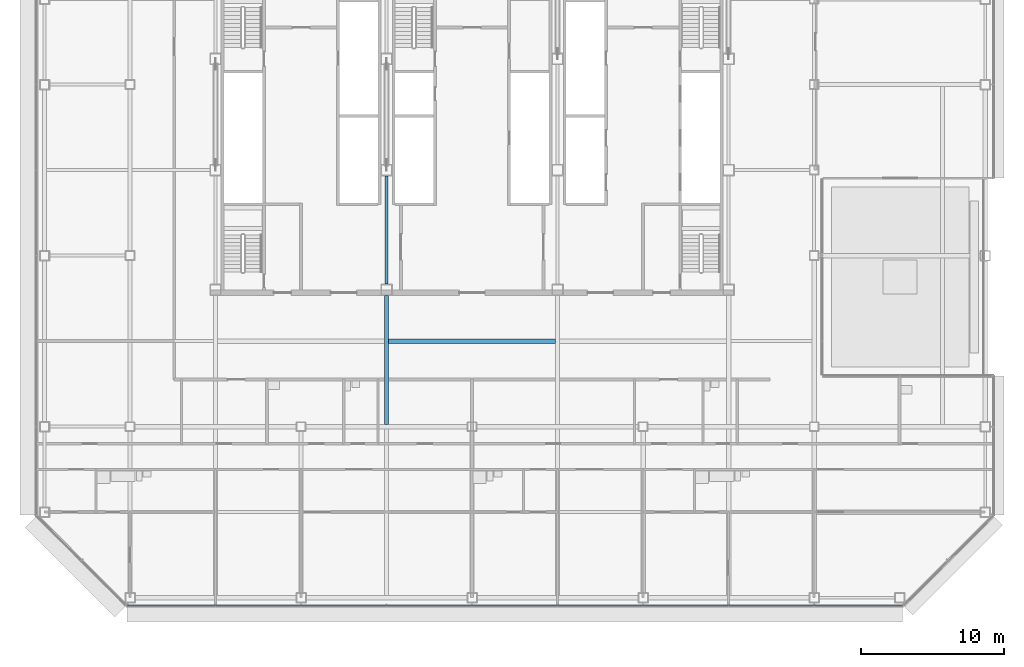
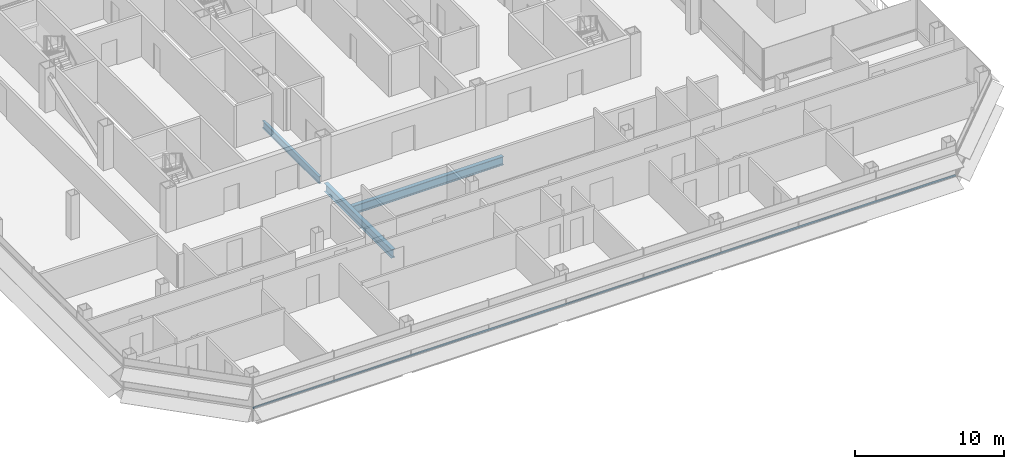
# One storey, part 7 of 27: 3 beams, 1 member, 1 element without a shape of its own.
"""IFC4 building model written with IfcOpenShell, lengths in metres."""

from ifc_helpers import new_model, si_unit, direction, frame, origin, origin_2d, place, context, subcontext, project, spatial, rectangle, i_section, extrude, material, material_profile, profile_set, type_object, element, aggregate, save


model = new_model("IFC4")

# Units and contexts
model_context = context("Model", 3, precision=1e-05, world=origin(), true_north=direction((0.0, 1.0)))
body_context = subcontext(model_context, "Body", "Model", "MODEL_VIEW")
ifc_project = project(units=[si_unit("LENGTHUNIT", "METRE"), si_unit("AREAUNIT", "SQUARE_METRE"), si_unit("VOLUMEUNIT", "CUBIC_METRE"), si_unit("PLANEANGLEUNIT", "RADIAN"), si_unit("MASSUNIT", "GRAM", prefix="KILO")], contexts=[model_context])

# Site, building, storey
site_placement = place(None, origin())
site = spatial("IfcSite", under=ifc_project, at=site_placement, CompositionType="ELEMENT")
building_placement = place(site_placement, origin())
building = spatial("IfcBuilding", under=site, at=building_placement, Name="Sorahane Residences", CompositionType="ELEMENT")
storey_placement = place(building_placement, frame((0.0, 0.0, 167.199951171875)))
storey = spatial("IfcBuildingStorey", under=building, at=storey_placement, Name="L38", CompositionType="ELEMENT", Elevation=167.199951171875)

# Curtain wall, member
ifc_material_1 = material(Name="Dark low-e glass and black anodised aluminium", Category="aluminium")
curtain_wall_type = type_object("IfcCurtainWallType", Name="Curtain wall CW-1 Typical unitised wall", PredefinedType="NOTDEFINED", material=ifc_material_1)
curtain_wall_placement = place(storey_placement, origin())
curtain_wall = element("IfcCurtainWall", 1, at=curtain_wall_placement, inside=storey, type_object=curtain_wall_type, Name="CW-1 curtain wall L38 S2", PredefinedType="NOTDEFINED")
ifc_material_2 = material(Name="Black anodised aluminium", Category="aluminium")
ifc_material_profile_1 = material_profile(ifc_material_2, rectangle(XDim=0.10009765625, YDim=0.06005859375, at=origin_2d()), Name="Curtain wall transom CW-1 black anodised aluminium 60x100")
ifc_profile_set_1 = profile_set([ifc_material_profile_1], Name="Black anodised aluminium")
member_type = type_object("IfcMemberType", Name="Curtain wall transom CW-1 black anodised aluminium 60x100", PredefinedType="USERDEFINED", material=ifc_profile_set_1)
member_placement = place(storey_placement, frame((-0.198486328125, -0.530029296875, 0.900146484375), z_axis=(1.0, 0.0, 0.0), x_axis=(0.0, 1.0, 0.0)))
member = element("IfcMember", 2, at=member_placement, type_object=member_type, Name="CW-1 transom L38 S2", ObjectType="TRANSOM", PredefinedType="USERDEFINED", context=body_context, shape_type="SweptSolid", body=[
    extrude(rectangle(XDim=0.10009765625, YDim=0.06005859375, at=origin_2d()), origin(), (0.0, 0.0, 1.0), 54.39697265625),
])
aggregate(curtain_wall, [member])

# Beams
ifc_material_3 = material(Name="Steel Q355B", Category="steel")
ifc_material_profile_2 = material_profile(ifc_material_3, i_section(OverallWidth=0.199951171875, OverallDepth=0.60009765625, WebThickness=0.010986328125, FlangeThickness=0.01708984375, FilletRadius=0.02392578125, at=origin_2d()), Name="HN 600x200x11x17")
ifc_profile_set_2 = profile_set([ifc_material_profile_2], Name="Steel Q355B")
beam_type_1 = type_object("IfcBeamType", Name="Steel floor beam HN 600x200x11x17 Q355B", PredefinedType="BEAM", material=ifc_profile_set_2)
beam_1_placement = place(storey_placement, frame((18.0, 22.0, -0.47998046875), z_axis=(0.0, 1.0, 0.0), x_axis=(-1.0, 0.0, 0.0)))
element("IfcBeam", 3, at=beam_1_placement, inside=storey, type_object=beam_type_1, Name="Beam L38 038", PredefinedType="BEAM", context=body_context, shape_type="SweptSolid", body=[
    extrude(i_section(OverallWidth=0.199951171875, OverallDepth=0.60009765625, WebThickness=0.010986328125, FlangeThickness=0.01708984375, FilletRadius=0.02392578125, at=origin_2d()), origin(), (0.0, 0.0, 1.0), 7.60009765625),
])
ifc_material_4 = material(Name="Steel Q355B", Category="steel")
ifc_material_profile_3 = material_profile(ifc_material_4, i_section(OverallWidth=0.300048828125, OverallDepth=0.699951171875, WebThickness=0.012939453125, FlangeThickness=0.02392578125, FilletRadius=0.028076171875, at=origin_2d()), Name="HN 700x300x13x24")
ifc_profile_set_3 = profile_set([ifc_material_profile_3], Name="Steel Q355B")
beam_type_2 = type_object("IfcBeamType", Name="Steel floor beam HN 700x300x13x24 Q355B", PredefinedType="BEAM", material=ifc_profile_set_3)
beam_2_placement = place(storey_placement, frame((18.0, 12.14990234375, -0.530029296875), z_axis=(0.0, 1.0, 0.0), x_axis=(-1.0, 0.0, 0.0)))
element("IfcBeam", 4, at=beam_2_placement, inside=storey, type_object=beam_type_2, Name="Beam L38 037", PredefinedType="BEAM", context=body_context, shape_type="SweptSolid", body=[
    extrude(i_section(OverallWidth=0.300048828125, OverallDepth=0.699951171875, WebThickness=0.012939453125, FlangeThickness=0.02392578125, FilletRadius=0.028076171875, at=origin_2d()), origin(), (0.0, 0.0, 1.0), 9.050048828125),
])
beam_3_placement = place(storey_placement, frame((18.14990234375, 18.0, -0.530029296875), z_axis=(1.0, 0.0, 0.0), x_axis=(0.0, 1.0, 0.0)))
element("IfcBeam", 5, at=beam_3_placement, inside=storey, type_object=beam_type_2, Name="Beam L38 079", PredefinedType="BEAM", context=body_context, shape_type="SweptSolid", body=[
    extrude(i_section(OverallWidth=0.300048828125, OverallDepth=0.699951171875, WebThickness=0.012939453125, FlangeThickness=0.02392578125, FilletRadius=0.028076171875, at=origin_2d()), origin(), (0.0, 0.0, 1.0), 11.7001953125),
])

save(model, "model.ifc")
